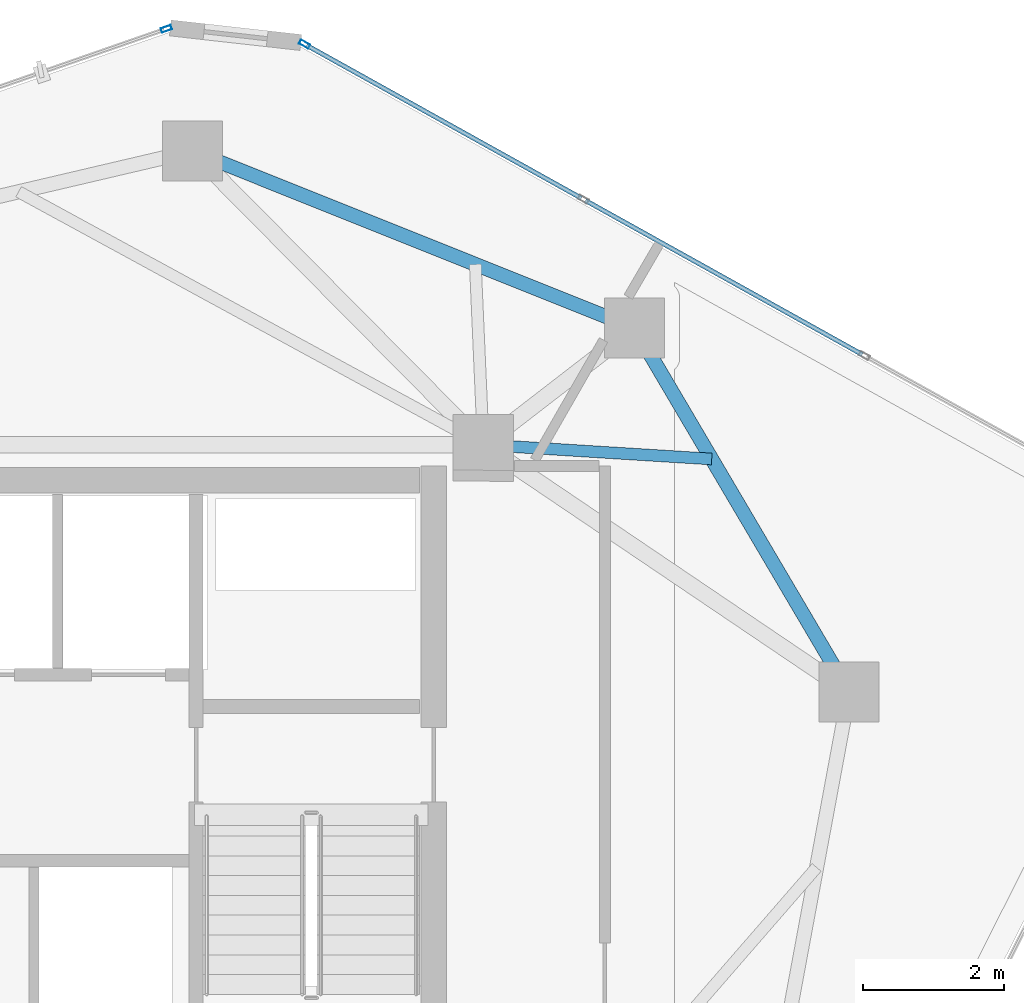
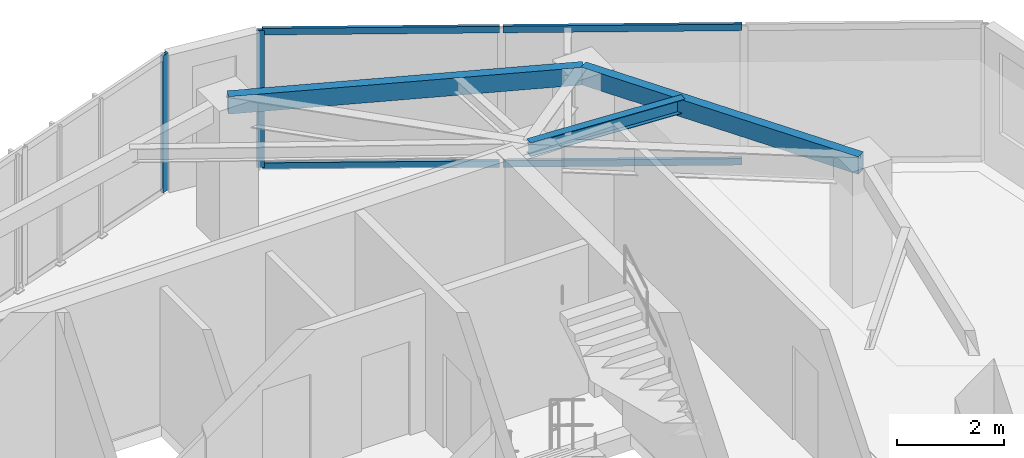
# One storey, part 14 of 20: 6 members, 3 beams, 2 elements without a shape of their own.
"""IFC4 building model written with IfcOpenShell, lengths in metres."""

from ifc_helpers import new_model, si_unit, direction, frame, origin, origin_2d, place, context, subcontext, project, spatial, hollow_rectangle, i_section, extrude, source, transform, mapped, material, layer, layer_set, material_profile, profile_set, type_object, type_shapes, element, aggregate, save


model = new_model("IFC4")

# Units and contexts
model_context = context("Model", 3, precision=1e-05, world=origin(), true_north=direction((0.0, 1.0)))
body_context = subcontext(model_context, "Body", "Model", "MODEL_VIEW")
ifc_project = project(units=[si_unit("LENGTHUNIT", "METRE"), si_unit("AREAUNIT", "SQUARE_METRE"), si_unit("VOLUMEUNIT", "CUBIC_METRE"), si_unit("PLANEANGLEUNIT", "RADIAN"), si_unit("MASSUNIT", "GRAM", prefix="KILO")], contexts=[model_context])

# Site, building, storey
site_placement = place(None, origin())
site = spatial("IfcSite", under=ifc_project, at=site_placement, CompositionType="ELEMENT")
building_placement = place(site_placement, origin())
building = spatial("IfcBuilding", under=site, at=building_placement, Name="Talar Marvaseh", CompositionType="ELEMENT")
storey_placement = place(building_placement, frame((0.0, 0.0, 285.0)))
storey = spatial("IfcBuildingStorey", under=building, at=storey_placement, Name="L76", CompositionType="ELEMENT", Elevation=285.0)

# Beams
ifc_material_1 = material(Name="Steel S355", Category="steel")
ifc_material_profile_1 = material_profile(ifc_material_1, hollow_rectangle(XDim=0.199951171875, YDim=0.39990234375, WallThickness=0.013916015625, at=origin_2d()), Name="RHS400x200x14")
ifc_profile_set_1 = profile_set([ifc_material_profile_1], Name="Steel S355")
beam_type_1 = type_object("IfcBeamType", Name="Zone 3 Perimeter Spandrel Beam RHS400x200x14", PredefinedType="SPANDREL", material=ifc_profile_set_1)
beam_1_placement = place(storey_placement, frame((29.18798828125, 41.052001953125, 2.93994140625), z_axis=(0.928426659475, -0.371515730456, 0.0), x_axis=(0.371515730456, 0.928426659475, 0.0)))
element("IfcBeam", 1, at=beam_1_placement, inside=storey, type_object=beam_type_1, Name="L76 Zone 3 Perimeter Spandrel Beam RHS400x200x14", PredefinedType="SPANDREL", context=body_context, shape_type="SweptSolid", body=[
    extrude(hollow_rectangle(XDim=0.199951171875, YDim=0.39990234375, WallThickness=0.013916015625, at=origin_2d()), origin(), (0.0, 0.0, 1.0), 6.73193359375),
])
beam_2_placement = place(storey_placement, frame((35.43798828125, 38.551025390625, 2.93994140625), z_axis=(0.507825587611, -0.861459907696, 0.0), x_axis=(0.861459907696, 0.507825587611, 0.0)))
element("IfcBeam", 2, at=beam_2_placement, inside=storey, type_object=beam_type_1, Name="L76 Zone 3 Perimeter Spandrel Beam RHS400x200x14", PredefinedType="SPANDREL", context=body_context, shape_type="SweptSolid", body=[
    extrude(hollow_rectangle(XDim=0.199951171875, YDim=0.39990234375, WallThickness=0.013916015625, at=origin_2d()), origin(), (0.0, 0.0, 1.0), 5.972412109375),
])
ifc_material_profile_2 = material_profile(ifc_material_1, i_section(OverallWidth=0.166015625, OverallDepth=0.31298828125, WebThickness=0.006591796875, FlangeThickness=0.01123046875, at=origin_2d()), Name="W310x45")
ifc_profile_set_2 = profile_set([ifc_material_profile_2], Name="Steel S355")
beam_type_2 = type_object("IfcBeamType", Name="Zone 3 Secondary Floor Joist W310x45", PredefinedType="JOIST", material=ifc_profile_set_2)
beam_3_placement = place(storey_placement, frame((36.52978515625, 36.69873046875, 2.9833984375), z_axis=(-0.998065766367, 0.062166920515, 0.0), x_axis=(-0.062166920515, -0.998065766367, 0.0)))
element("IfcBeam", 3, at=beam_3_placement, inside=storey, type_object=beam_type_2, Name="L76 Zone 3 Secondary Floor Joist W310x45", PredefinedType="JOIST", context=body_context, shape_type="SweptSolid", body=[
    extrude(i_section(OverallWidth=0.166015625, OverallDepth=0.31298828125, WebThickness=0.006591796875, FlangeThickness=0.01123046875, at=origin_2d()), origin(), (0.0, 0.0, 1.0), 3.236083984375),
])

# Curtain wall, member
ifc_material_2 = material(Name="Architectural Aluminium", Category="aluminium")
ifc_layer = layer(ifc_material_2, 0.179931640625)
ifc_layer_set = layer_set([ifc_layer], Name="Architectural Aluminium")
curtain_wall_type = type_object("IfcCurtainWallType", Name="Unitised High-Wind Sky Curtain Wall Z4", PredefinedType="NOTDEFINED", material=ifc_layer_set)
curtain_wall_1_placement = place(storey_placement, origin())
curtain_wall_1 = element("IfcCurtainWall", 4, at=curtain_wall_1_placement, inside=storey, type_object=curtain_wall_type, Name="L76 Unitised High-Wind Sky Curtain Wall Z4", PredefinedType="NOTDEFINED")
ifc_material_profile_3 = material_profile(ifc_material_2, hollow_rectangle(XDim=0.06494140625, YDim=0.14990234375, WallThickness=0.00390625, at=origin_2d()), Name="RHS150x65x4")
ifc_profile_set_3 = profile_set([ifc_material_profile_3], Name="Architectural Aluminium")
member_type_1 = type_object("IfcMemberType", Name="Unitised Curtain Wall Slim Mullion RHS150x65x4", PredefinedType="MULLION", material=ifc_profile_set_3)
shared_shape_1 = source(origin(), body_context, "Body", "SweptSolid", [
    extrude(hollow_rectangle(XDim=0.06494140625, YDim=0.14990234375, WallThickness=0.00390625, at=origin_2d()), origin(), (0.0, 0.0, 1.0), 3.139892578125),
])
type_shapes(member_type_1, [shared_shape_1])
member_1_placement = place(storey_placement, frame((28.819580078125, 42.779541015625, 0.0), z_axis=(0.0, 0.0, 1.0), x_axis=(-0.328568606431, 0.944480106126, 0.0)))
member_1 = element("IfcMember", 5, at=member_1_placement, type_object=member_type_1, Name="CW-Z4 mullion 4", PredefinedType="MULLION", context=body_context, shape_type="MappedRepresentation", body=[
    mapped(shared_shape_1, transform((0.0, 0.0, 0.0), x_axis=(1.0, 0.0, 0.0), y_axis=(0.0, 1.0, 0.0), z_axis=(0.0, 0.0, 1.0), scale=1.0)),
])
aggregate(curtain_wall_1, [member_1])

# Curtain wall, members
curtain_wall_2_placement = place(storey_placement, origin())
curtain_wall_2 = element("IfcCurtainWall", 6, at=curtain_wall_2_placement, inside=storey, type_object=curtain_wall_type, Name="L76 Unitised High-Wind Sky Curtain Wall Z4", PredefinedType="NOTDEFINED")
member_2_placement = place(storey_placement, frame((30.772705078125, 42.564208984375, 0.0), z_axis=(0.0, 0.0, 1.0), x_axis=(0.486279216981, 0.873803480843, 0.0)))
member_2 = element("IfcMember", 7, at=member_2_placement, type_object=member_type_1, Name="CW-Z4 mullion 1", PredefinedType="MULLION", context=body_context, shape_type="MappedRepresentation", body=[
    mapped(shared_shape_1, transform((0.0, 0.0, 0.0), x_axis=(1.0, 0.0, 0.0), y_axis=(0.0, 1.0, 0.0), z_axis=(0.0, 0.0, 1.0), scale=1.0)),
])
ifc_material_profile_4 = material_profile(ifc_material_2, hollow_rectangle(XDim=0.06494140625, YDim=0.14990234375, WallThickness=0.00390625, at=origin_2d()), Name="RHS150x65x4")
ifc_profile_set_4 = profile_set([ifc_material_profile_4], Name="Architectural Aluminium")
member_type_2 = type_object("IfcMemberType", Name="Unitised Curtain Wall Slim Transom RHS150x65x4", PredefinedType="USERDEFINED", material=ifc_profile_set_4)
shared_shape_2 = source(origin(), body_context, "Body", "SweptSolid", [
    extrude(hollow_rectangle(XDim=0.06494140625, YDim=0.14990234375, WallThickness=0.00390625, at=origin_2d()), origin(), (0.0, 0.0, 1.0), 4.447509765625),
])
member_3_placement = place(storey_placement, frame((30.801025390625, 42.54833984375, 0.032470703125), z_axis=(0.873791936709, -0.486299960253, 0.0), x_axis=(0.486299960253, 0.873791936709, 0.0)))
member_3 = element("IfcMember", 8, at=member_3_placement, type_object=member_type_2, Name="CW-Z4 transom 1.1", ObjectType="TRANSOM", PredefinedType="USERDEFINED", context=body_context, shape_type="MappedRepresentation", body=[
    mapped(shared_shape_2, transform((0.0, 0.0, 0.0), x_axis=(1.0, 0.0, 0.0), y_axis=(0.0, 1.0, 0.0), z_axis=(0.0, 0.0, 1.0), scale=1.0)),
])
member_4_placement = place(storey_placement, frame((30.801025390625, 42.54833984375, 3.107421875), z_axis=(0.873791936709, -0.486299960253, 0.0), x_axis=(0.486299960253, 0.873791936709, 0.0)))
member_4 = element("IfcMember", 9, at=member_4_placement, type_object=member_type_2, Name="CW-Z4 transom 1.2", ObjectType="TRANSOM", PredefinedType="USERDEFINED", context=body_context, shape_type="MappedRepresentation", body=[
    mapped(shared_shape_2, transform((0.0, 0.0, 0.0), x_axis=(1.0, 0.0, 0.0), y_axis=(0.0, 1.0, 0.0), z_axis=(0.0, 0.0, 1.0), scale=1.0)),
])
shared_shape_3 = source(origin(), body_context, "Body", "SweptSolid", [
    extrude(hollow_rectangle(XDim=0.06494140625, YDim=0.14990234375, WallThickness=0.00390625, at=origin_2d()), origin(), (0.0, 0.0, 1.0), 4.47998046875),
])
type_shapes(member_type_2, [shared_shape_2, shared_shape_3])
member_5_placement = place(storey_placement, frame((34.743896484375, 40.35400390625, 0.032470703125), z_axis=(0.873804872275, -0.486276716684, 0.0), x_axis=(0.486276716684, 0.873804872275, 0.0)))
member_5 = element("IfcMember", 10, at=member_5_placement, type_object=member_type_2, Name="CW-Z4 transom 2.1", ObjectType="TRANSOM", PredefinedType="USERDEFINED", context=body_context, shape_type="MappedRepresentation", body=[
    mapped(shared_shape_3, transform((0.0, 0.0, 0.0), x_axis=(1.0, 0.0, 0.0), y_axis=(0.0, 1.0, 0.0), z_axis=(0.0, 0.0, 1.0), scale=1.0)),
])
member_6_placement = place(storey_placement, frame((34.743896484375, 40.35400390625, 3.107421875), z_axis=(0.873804872275, -0.486276716684, 0.0), x_axis=(0.486276716684, 0.873804872275, 0.0)))
member_6 = element("IfcMember", 11, at=member_6_placement, type_object=member_type_2, Name="CW-Z4 transom 2.2", ObjectType="TRANSOM", PredefinedType="USERDEFINED", context=body_context, shape_type="MappedRepresentation", body=[
    mapped(shared_shape_3, transform((0.0, 0.0, 0.0), x_axis=(1.0, 0.0, 0.0), y_axis=(0.0, 1.0, 0.0), z_axis=(0.0, 0.0, 1.0), scale=1.0)),
])
aggregate(curtain_wall_2, [member_2, member_3, member_4, member_5, member_6])

save(model, "model.ifc")
